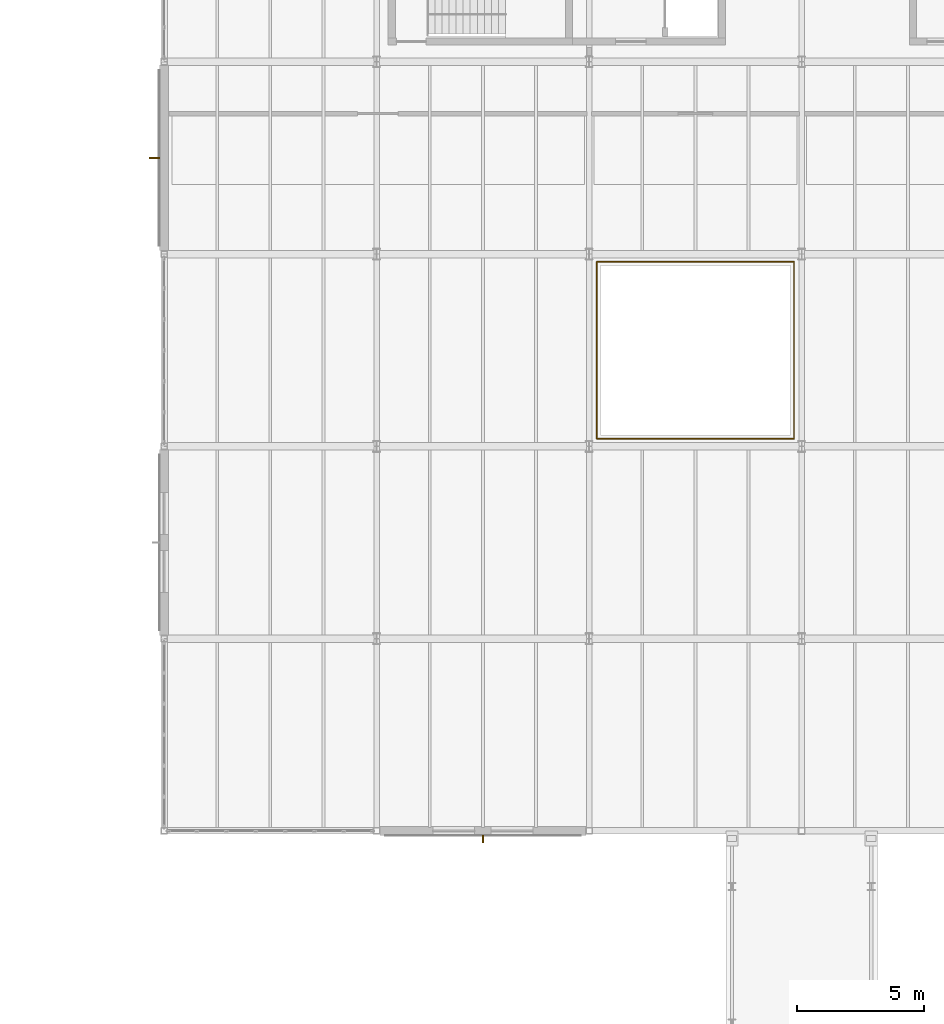
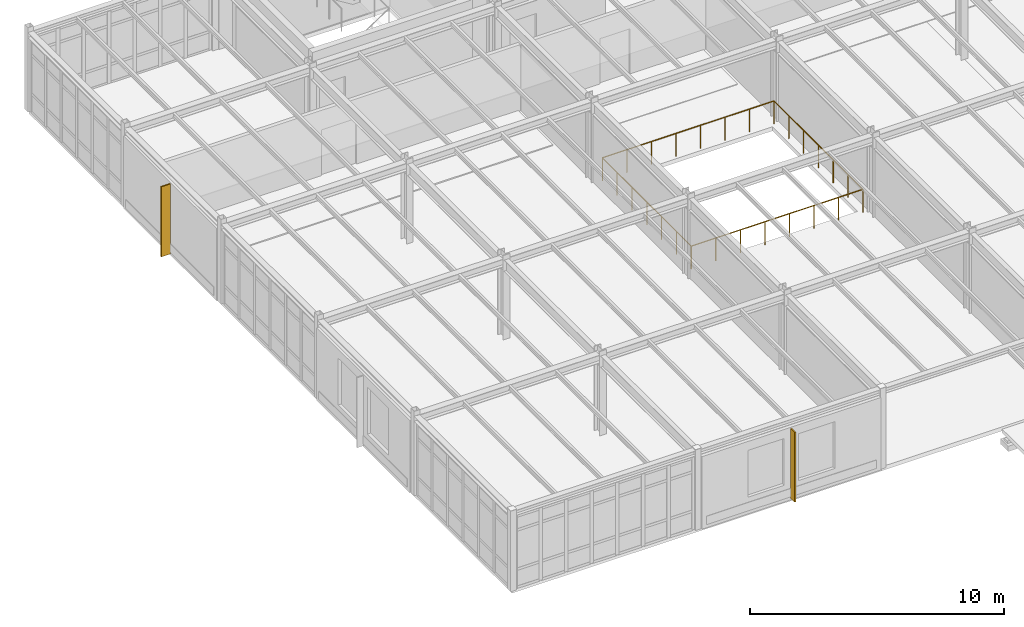
# One storey, part 183 of 189: 2 shading devices, 1 railing.
"""IFC4 building model written with IfcOpenShell, lengths in metres."""

from ifc_helpers import new_model, si_unit, direction, frame, origin, origin_2d, place, context, subcontext, project, spatial, rectangle, circle, extrude, material, type_object, element, save


model = new_model("IFC4")

# Units and contexts
model_context = context("Model", 3, precision=1e-05, world=origin(), true_north=direction((0.0, 1.0)))
body_context = subcontext(model_context, "Body", "Model", "MODEL_VIEW")
ifc_project = project(units=[si_unit("LENGTHUNIT", "METRE"), si_unit("AREAUNIT", "SQUARE_METRE"), si_unit("VOLUMEUNIT", "CUBIC_METRE"), si_unit("PLANEANGLEUNIT", "RADIAN"), si_unit("MASSUNIT", "GRAM", prefix="KILO")], contexts=[model_context])

# Site, building, storey
site_placement = place(None, origin())
site = spatial("IfcSite", under=ifc_project, at=site_placement, CompositionType="ELEMENT")
building_placement = place(site_placement, origin())
building = spatial("IfcBuilding", under=site, at=building_placement, Name="Montecoro Central Library", CompositionType="ELEMENT")
storey_placement = place(building_placement, frame((0.0, 0.0, 9.179931640625)))
storey = spatial("IfcBuildingStorey", under=building, at=storey_placement, Name="L02", CompositionType="ELEMENT", Elevation=9.179931640625)

# Railing
ifc_material_1 = material(Name="Brushed stainless steel and bronze balustrade", Category="steel")
railing_type = type_object("IfcRailingType", Name="GRD-INT-110", PredefinedType="GUARDRAIL", material=ifc_material_1)
railing_placement = place(storey_placement, frame((83.5, 96.5, 0.0)))
element("IfcRailing", 1, at=railing_placement, inside=storey, type_object=railing_type, Name="V2-L02-ATR-GRD", PredefinedType="GUARDRAIL", context=body_context, shape_type="SweptSolid", body=[
    extrude(circle(Radius=0.02392578125, at=origin_2d()), frame((0.0, 0.0, 1.09619140625), z_axis=(1.0, 0.0, 0.0), x_axis=(0.0, 1.0, 0.0)), (0.0, 0.0, 1.0), 7.800048828125),
    extrude(circle(Radius=0.02392578125, at=origin_2d()), frame((7.800048828125, 0.0, 1.09619140625), z_axis=(0.0, 1.0, 0.0), x_axis=(-1.0, 0.0, 0.0)), (0.0, 0.0, 1.0), 7.0),
    extrude(circle(Radius=0.02392578125, at=origin_2d()), frame((7.800048828125, 7.0, 1.09619140625), z_axis=(-1.0, 0.0, 0.0), x_axis=(0.0, -1.0, 0.0)), (0.0, 0.0, 1.0), 7.800048828125),
    extrude(circle(Radius=0.02392578125, at=origin_2d()), frame((0.0, 7.0, 1.09619140625), z_axis=(0.0, -1.0, 0.0), x_axis=(1.0, 0.0, 0.0)), (0.0, 0.0, 1.0), 7.0),
    extrude(circle(Radius=0.02099609375, at=origin_2d()), origin(), (0.0, 0.0, 1.0), 1.072021484375),
    extrude(circle(Radius=0.02099609375, at=origin_2d()), frame((1.1142578125, 0.0, 0.0)), (0.0, 0.0, 1.0), 1.072021484375),
    extrude(circle(Radius=0.02099609375, at=origin_2d()), frame((2.228515625, 0.0, 0.0)), (0.0, 0.0, 1.0), 1.072021484375),
    extrude(circle(Radius=0.02099609375, at=origin_2d()), frame((3.3427734375, 0.0, 0.0)), (0.0, 0.0, 1.0), 1.072021484375),
    extrude(circle(Radius=0.02099609375, at=origin_2d()), frame((4.457275390625, 0.0, 0.0)), (0.0, 0.0, 1.0), 1.072021484375),
    extrude(circle(Radius=0.02099609375, at=origin_2d()), frame((5.571533203125, 0.0, 0.0)), (0.0, 0.0, 1.0), 1.072021484375),
    extrude(circle(Radius=0.02099609375, at=origin_2d()), frame((6.685791015625, 0.0, 0.0)), (0.0, 0.0, 1.0), 1.072021484375),
    extrude(circle(Radius=0.02099609375, at=origin_2d()), frame((7.800048828125, 0.0, 0.0)), (0.0, 0.0, 1.0), 1.072021484375),
    extrude(circle(Radius=0.02099609375, at=origin_2d()), frame((7.800048828125, 1.166748046875, 0.0)), (0.0, 0.0, 1.0), 1.072021484375),
    extrude(circle(Radius=0.02099609375, at=origin_2d()), frame((7.800048828125, 2.333251953125, 0.0)), (0.0, 0.0, 1.0), 1.072021484375),
    extrude(circle(Radius=0.02099609375, at=origin_2d()), frame((7.800048828125, 3.5, 0.0)), (0.0, 0.0, 1.0), 1.072021484375),
    extrude(circle(Radius=0.02099609375, at=origin_2d()), frame((7.800048828125, 4.666748046875, 0.0)), (0.0, 0.0, 1.0), 1.072021484375),
    extrude(circle(Radius=0.02099609375, at=origin_2d()), frame((7.800048828125, 5.833251953125, 0.0)), (0.0, 0.0, 1.0), 1.072021484375),
    extrude(circle(Radius=0.02099609375, at=origin_2d()), frame((7.800048828125, 7.0, 0.0)), (0.0, 0.0, 1.0), 1.072021484375),
    extrude(circle(Radius=0.02099609375, at=origin_2d()), frame((6.685791015625, 7.0, 0.0)), (0.0, 0.0, 1.0), 1.072021484375),
    extrude(circle(Radius=0.02099609375, at=origin_2d()), frame((5.571533203125, 7.0, 0.0)), (0.0, 0.0, 1.0), 1.072021484375),
    extrude(circle(Radius=0.02099609375, at=origin_2d()), frame((4.457275390625, 7.0, 0.0)), (0.0, 0.0, 1.0), 1.072021484375),
    extrude(circle(Radius=0.02099609375, at=origin_2d()), frame((3.3427734375, 7.0, 0.0)), (0.0, 0.0, 1.0), 1.072021484375),
    extrude(circle(Radius=0.02099609375, at=origin_2d()), frame((2.228515625, 7.0, 0.0)), (0.0, 0.0, 1.0), 1.072021484375),
    extrude(circle(Radius=0.02099609375, at=origin_2d()), frame((1.1142578125, 7.0, 0.0)), (0.0, 0.0, 1.0), 1.072021484375),
    extrude(circle(Radius=0.02099609375, at=origin_2d()), frame((0.0, 7.0, 0.0)), (0.0, 0.0, 1.0), 1.072021484375),
    extrude(circle(Radius=0.02099609375, at=origin_2d()), frame((0.0, 5.833251953125, 0.0)), (0.0, 0.0, 1.0), 1.072021484375),
    extrude(circle(Radius=0.02099609375, at=origin_2d()), frame((0.0, 4.666748046875, 0.0)), (0.0, 0.0, 1.0), 1.072021484375),
    extrude(circle(Radius=0.02099609375, at=origin_2d()), frame((0.0, 3.5, 0.0)), (0.0, 0.0, 1.0), 1.072021484375),
    extrude(circle(Radius=0.02099609375, at=origin_2d()), frame((0.0, 2.333251953125, 0.0)), (0.0, 0.0, 1.0), 1.072021484375),
    extrude(circle(Radius=0.02099609375, at=origin_2d()), frame((0.0, 1.166748046875, 0.0)), (0.0, 0.0, 1.0), 1.072021484375),
])

# Shading devices
ifc_material_2 = material(Name="Architectural bronze solar fin", Category="aluminium")
shading_device_type_1 = type_object("IfcShadingDeviceType", Name="SHD-FIN-07", PredefinedType="USERDEFINED", material=ifc_material_2)
shading_device_1_placement = place(storey_placement, frame((79.0, 80.679443359375, 0.06005859375), z_axis=(0.0, 0.0, 1.0), x_axis=(1.0, 0.0, 0.0)))
element("IfcShadingDevice", 2, at=shading_device_1_placement, inside=storey, type_object=shading_device_type_1, Name="V2-L02-FIN-S1", ObjectType="SOLAR FIN", PredefinedType="USERDEFINED", context=body_context, shape_type="SweptSolid", body=[
    extrude(rectangle(XDim=0.06005859375, YDim=0.300048828125, at=origin_2d()), origin(), (0.0, 0.0, 1.0), 3.360107421875),
])
shading_device_type_2 = type_object("IfcShadingDeviceType", Name="SHD-FIN-09", PredefinedType="USERDEFINED", material=ifc_material_2)
shading_device_2_placement = place(storey_placement, frame((66.01953125, 107.60009765625, 0.06005859375), z_axis=(0.0, 0.0, 1.0), x_axis=(0.0, -1.0, 0.0)))
element("IfcShadingDevice", 3, at=shading_device_2_placement, inside=storey, type_object=shading_device_type_2, Name="V2-L02-FIN-W3", ObjectType="SOLAR FIN", PredefinedType="USERDEFINED", context=body_context, shape_type="SweptSolid", body=[
    extrude(rectangle(XDim=0.06005859375, YDim=0.419921875, at=origin_2d()), origin(), (0.0, 0.0, 1.0), 3.360107421875),
])

save(model, "model.ifc")
